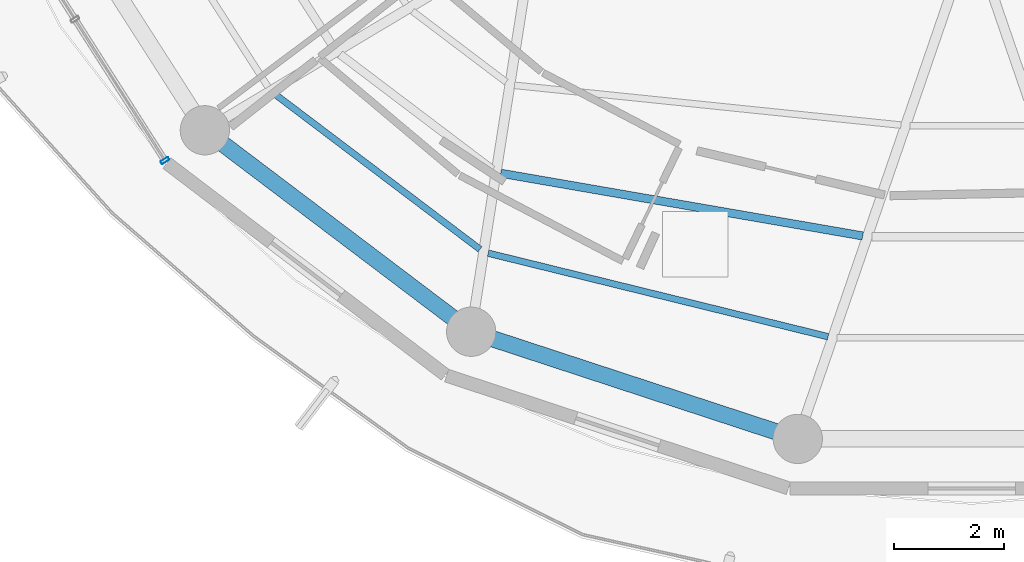
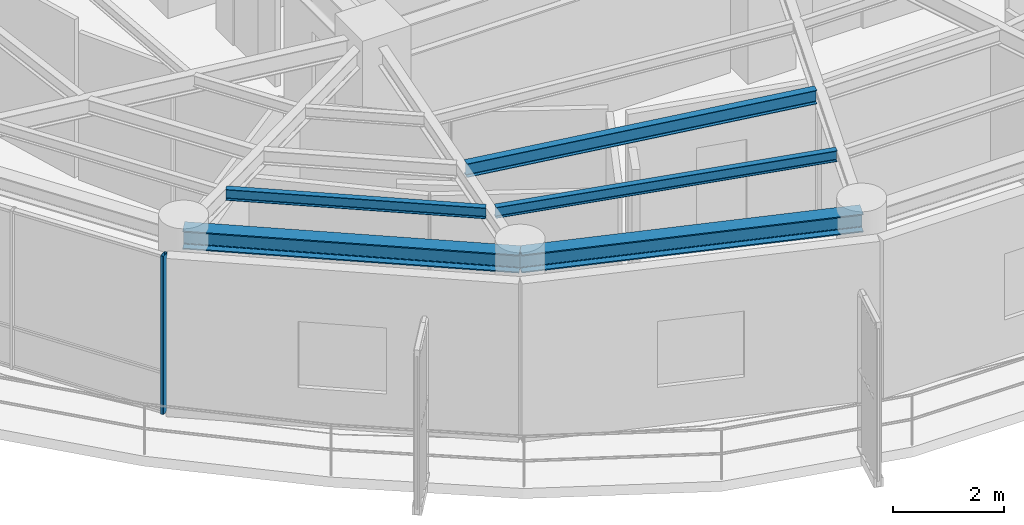
# One storey, part 2 of 23: 5 beams, 1 member, 1 element without a shape of its own.
"""IFC4 building model written with IfcOpenShell, lengths in metres."""

from ifc_helpers import new_model, si_unit, direction, frame, origin, origin_2d, place, context, subcontext, project, spatial, hollow_rectangle, i_section, extrude, material, layer, layer_set, material_profile, profile_set, type_object, element, aggregate, save


model = new_model("IFC4")

# Units and contexts
model_context = context("Model", 3, precision=1e-05, world=origin(), true_north=direction((0.0, 1.0)))
body_context = subcontext(model_context, "Body", "Model", "MODEL_VIEW")
ifc_project = project(units=[si_unit("LENGTHUNIT", "METRE"), si_unit("AREAUNIT", "SQUARE_METRE"), si_unit("VOLUMEUNIT", "CUBIC_METRE"), si_unit("PLANEANGLEUNIT", "RADIAN"), si_unit("MASSUNIT", "GRAM", prefix="KILO")], contexts=[model_context])

# Site, building, storey
site_placement = place(None, origin())
site = spatial("IfcSite", under=ifc_project, at=site_placement, CompositionType="ELEMENT")
building_placement = place(site_placement, origin())
building = spatial("IfcBuilding", under=site, at=building_placement, Name="Kelanora Arch Commons", CompositionType="ELEMENT")
storey_placement = place(building_placement, frame((0.0, 0.0, 286.199951171875)))
storey = spatial("IfcBuildingStorey", under=building, at=storey_placement, Name="L73", CompositionType="ELEMENT", Elevation=286.199951171875)

# Beams
ifc_material_1 = material(Name="Steel S355", Category="steel")
ifc_material_profile_1 = material_profile(ifc_material_1, i_section(OverallWidth=0.14990234375, OverallDepth=0.300048828125, WebThickness=0.007080078125, FlangeThickness=0.0107421875, FilletRadius=0.014892578125, at=origin_2d()), Name="IPE300")
ifc_profile_set_1 = profile_set([ifc_material_profile_1], Name="Steel S355")
beam_type_1 = type_object("IfcBeamType", Name="BM-JST-01", PredefinedType="JOIST", material=ifc_profile_set_1)
beam_1_placement = place(storey_placement, frame((65.39990234375, 46.622314453125, 3.340087890625), z_axis=(0.985321568263, -0.170708544357, 0.0), x_axis=(0.170708544357, 0.985321568263, 0.0)))
element("IfcBeam", 1, at=beam_1_placement, inside=storey, type_object=beam_type_1, Name="Secondary Chord Joist BJB-24 L73", PredefinedType="JOIST", context=body_context, shape_type="SweptSolid", body=[
    extrude(i_section(OverallWidth=0.14990234375, OverallDepth=0.300048828125, WebThickness=0.007080078125, FlangeThickness=0.0107421875, FilletRadius=0.014892578125, at=origin_2d()), origin(), (0.0, 0.0, 1.0), 6.710205078125),
])
ifc_material_profile_2 = material_profile(ifc_material_1, i_section(OverallWidth=0.1201171875, OverallDepth=0.239990234375, WebThickness=0.006103515625, FlangeThickness=0.009765625, FilletRadius=0.014892578125, at=origin_2d()), Name="IPE240")
ifc_profile_set_2 = profile_set([ifc_material_profile_2], Name="Steel S355")
beam_type_2 = type_object("IfcBeamType", Name="BM-JST-02", PredefinedType="JOIST", material=ifc_profile_set_2)
beam_2_placement = place(storey_placement, frame((61.26513671875, 48.07421875, 3.3701171875), z_axis=(0.79752302984, -0.60328850219, 0.0), x_axis=(0.60328850219, 0.79752302984, 0.0)))
element("IfcBeam", 2, at=beam_2_placement, inside=storey, type_object=beam_type_2, Name="Secondary Chord Joist BJC-22 L73", PredefinedType="JOIST", context=body_context, shape_type="SweptSolid", body=[
    extrude(i_section(OverallWidth=0.1201171875, OverallDepth=0.239990234375, WebThickness=0.006103515625, FlangeThickness=0.009765625, FilletRadius=0.014892578125, at=origin_2d()), origin(), (0.0, 0.0, 1.0), 4.70849609375),
])
beam_3_placement = place(storey_placement, frame((65.17041015625, 45.162109375, 3.3701171875), z_axis=(0.971109719488, -0.23863342749, 0.0), x_axis=(0.23863342749, 0.971109719488, 0.0)))
element("IfcBeam", 3, at=beam_3_placement, inside=storey, type_object=beam_type_2, Name="Secondary Chord Joist BJC-24 L73", PredefinedType="JOIST", context=body_context, shape_type="SweptSolid", body=[
    extrude(i_section(OverallWidth=0.1201171875, OverallDepth=0.239990234375, WebThickness=0.006103515625, FlangeThickness=0.009765625, FilletRadius=0.014892578125, at=origin_2d()), origin(), (0.0, 0.0, 1.0), 6.39208984375),
])
ifc_material_profile_3 = material_profile(ifc_material_1, i_section(OverallWidth=0.300048828125, OverallDepth=0.39990234375, WebThickness=0.013427734375, FlangeThickness=0.02392578125, FilletRadius=0.027099609375, at=origin_2d()), Name="HEB400")
ifc_profile_set_3 = profile_set([ifc_material_profile_3], Name="Steel S355")
beam_type_3 = type_object("IfcBeamType", Name="BM-SPN-Z4", PredefinedType="SPANDREL", material=ifc_profile_set_3)
beam_4_placement = place(storey_placement, frame((59.99658203125, 47.406982421875, 3.2900390625), z_axis=(0.797509460967, -0.603306439273, 0.0), x_axis=(0.603306439273, 0.797509460967, 0.0)))
element("IfcBeam", 4, at=beam_4_placement, inside=storey, type_object=beam_type_3, Name="Perimeter Spandrel Beam BS-22 L73", PredefinedType="SPANDREL", context=body_context, shape_type="SweptSolid", body=[
    extrude(i_section(OverallWidth=0.300048828125, OverallDepth=0.39990234375, WebThickness=0.013427734375, FlangeThickness=0.02392578125, FilletRadius=0.027099609375, at=origin_2d()), origin(), (0.0, 0.0, 1.0), 6.098388671875),
])
beam_5_placement = place(storey_placement, frame((64.860107421875, 43.727783203125, 3.2900390625), z_axis=(0.950165923039, -0.311744636996, 0.0), x_axis=(0.311744636996, 0.950165923039, 0.0)))
element("IfcBeam", 5, at=beam_5_placement, inside=storey, type_object=beam_type_3, Name="Perimeter Spandrel Beam BS-24 L73", PredefinedType="SPANDREL", context=body_context, shape_type="SweptSolid", body=[
    extrude(i_section(OverallWidth=0.300048828125, OverallDepth=0.39990234375, WebThickness=0.013427734375, FlangeThickness=0.02392578125, FilletRadius=0.027099609375, at=origin_2d()), origin(), (0.0, 0.0, 1.0), 6.278564453125),
])

# Curtain wall, member
ifc_material_2 = material(Name="Terracotta ceramic-fritted low-E glass and aluminium", Category="masonry")
ifc_layer = layer(ifc_material_2, 0.18994140625)
ifc_layer_set = layer_set([ifc_layer], Name="Terracotta ceramic-fritted low-E glass and aluminium")
curtain_wall_type = type_object("IfcCurtainWallType", Name="CW-SYS-03", PredefinedType="NOTDEFINED", material=ifc_layer_set)
curtain_wall_placement = place(storey_placement, origin())
curtain_wall = element("IfcCurtainWall", 6, at=curtain_wall_placement, inside=storey, type_object=curtain_wall_type, Name="Unitised Curtain Wall L73-B10", PredefinedType="NOTDEFINED")
ifc_material_3 = material(Name="Powder-coated aluminium terracotta", Category="masonry")
ifc_material_profile_4 = material_profile(ifc_material_3, hollow_rectangle(XDim=0.159912109375, YDim=0.06005859375, WallThickness=0.0048828125, InnerFilletRadius=0.0048828125, OuterFilletRadius=0.010009765625, at=origin_2d()), Name="CWM160x60")
ifc_profile_set_4 = profile_set([ifc_material_profile_4], Name="Powder-coated aluminium terracotta")
member_type = type_object("IfcMemberType", Name="CWM-STD", PredefinedType="MULLION", material=ifc_profile_set_4)
member_placement = place(storey_placement, frame((59.267578125, 46.853515625, 0.0), z_axis=(0.0, 0.0, 1.0), x_axis=(0.843391314545, 0.537299814397, 0.0)))
member = element("IfcMember", 7, at=member_placement, type_object=member_type, Name="CW-03 mullion 3", PredefinedType="MULLION", context=body_context, shape_type="SweptSolid", body=[
    extrude(hollow_rectangle(XDim=0.159912109375, YDim=0.06005859375, WallThickness=0.0048828125, InnerFilletRadius=0.0048828125, OuterFilletRadius=0.010009765625, at=origin_2d()), origin(), (0.0, 0.0, 1.0), 3.47509765625),
])
aggregate(curtain_wall, [member])

save(model, "model.ifc")
